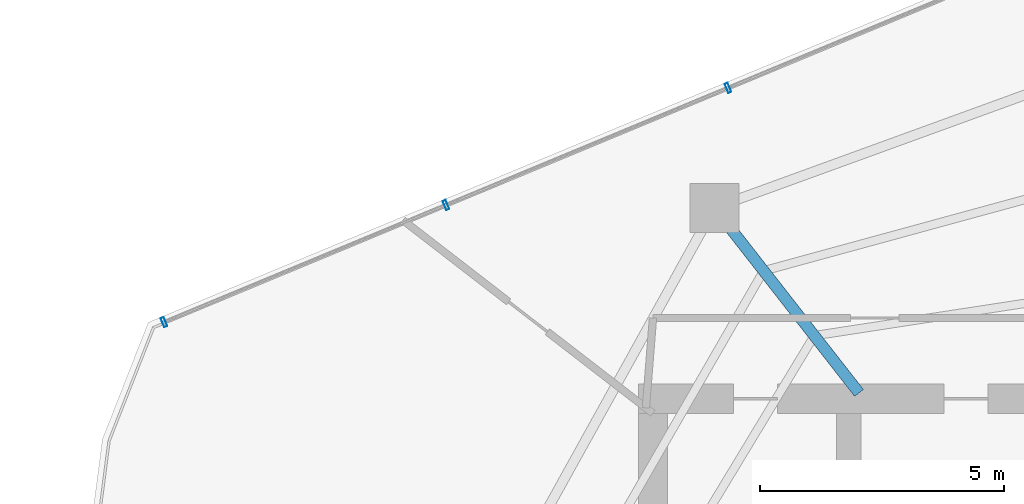
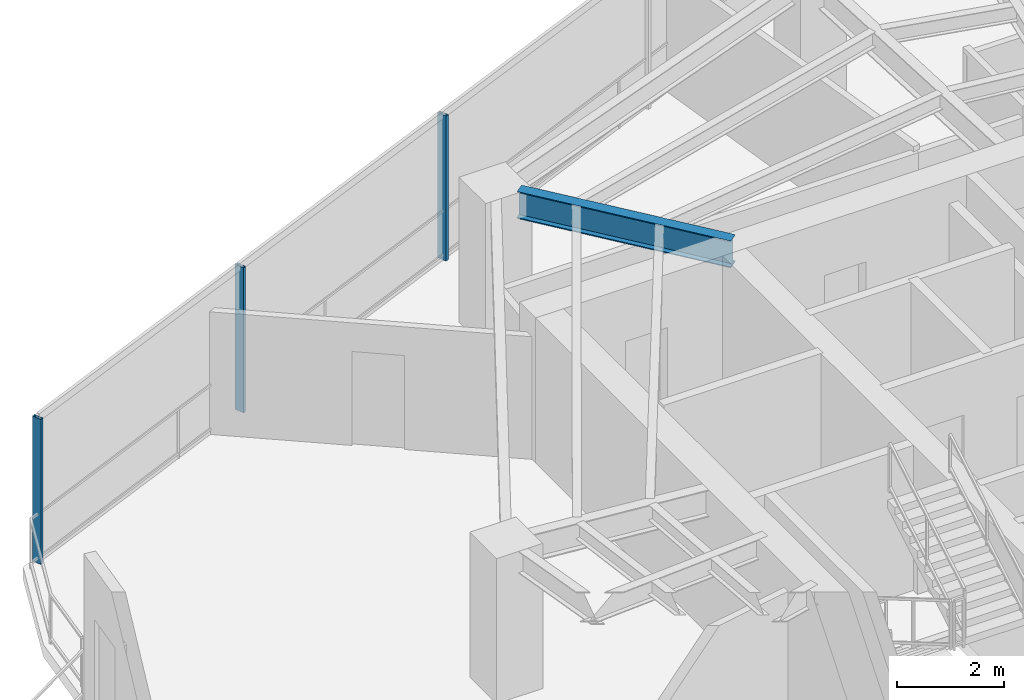
# One storey, part 11 of 20: 3 members, 1 beam, 1 element without a shape of its own.
"""IFC4 building model written with IfcOpenShell, lengths in metres."""

from ifc_helpers import new_model, si_unit, direction, frame, origin, origin_2d, place, context, subcontext, project, spatial, hollow_rectangle, i_section, extrude, material, layer, layer_set, material_profile, profile_set, type_object, element, aggregate, save


model = new_model("IFC4")

# Units and contexts
model_context = context("Model", 3, precision=1e-05, world=origin(), true_north=direction((0.0, 1.0)))
body_context = subcontext(model_context, "Body", "Model", "MODEL_VIEW")
ifc_project = project(units=[si_unit("LENGTHUNIT", "METRE"), si_unit("AREAUNIT", "SQUARE_METRE"), si_unit("VOLUMEUNIT", "CUBIC_METRE"), si_unit("PLANEANGLEUNIT", "RADIAN"), si_unit("MASSUNIT", "GRAM", prefix="KILO")], contexts=[model_context])

# Site, building, storey
site_placement = place(None, origin())
site = spatial("IfcSite", under=ifc_project, at=site_placement, CompositionType="ELEMENT")
building_placement = place(site_placement, origin())
building = spatial("IfcBuilding", under=site, at=building_placement, Name="Qarnah Convention Tower", CompositionType="ELEMENT")
storey_placement = place(building_placement, frame((0.0, 0.0, 150.89990234375)))
storey = spatial("IfcBuildingStorey", under=building, at=storey_placement, Name="L40", CompositionType="ELEMENT", Elevation=150.89990234375)

# Beam
ifc_material_1 = material(Name="Structural steel S355JR", Category="steel")
ifc_material_profile_1 = material_profile(ifc_material_1, i_section(OverallWidth=0.22998046875, OverallDepth=0.617919921875, WebThickness=0.012939453125, FlangeThickness=0.02197265625, at=origin_2d()), Name="W610X140")
ifc_profile_set_1 = profile_set([ifc_material_profile_1], Name="Structural steel S355JR")
beam_type = type_object("IfcBeamType", Name="BM-RAD-W610A", PredefinedType="BEAM", material=ifc_profile_set_1)
beam_placement = place(storey_placement, frame((31.013916015625, 34.318115234375, 3.010986328125), z_axis=(-0.615636368947, 0.788030368215, 0.0), x_axis=(-0.788030368215, -0.615636368947, 0.0)))
element("IfcBeam", 1, at=beam_placement, inside=storey, type_object=beam_type, Name="L40 beam BM-L40-RAD-04", PredefinedType="BEAM", context=body_context, shape_type="SweptSolid", body=[
    extrude(i_section(OverallWidth=0.22998046875, OverallDepth=0.617919921875, WebThickness=0.012939453125, FlangeThickness=0.02197265625, at=origin_2d()), origin(), (0.0, 0.0, 1.0), 4.322265625),
])

# Curtain wall, members
ifc_material_2 = material(Name="Tempered Low-E dark glass", Category="glass")
ifc_layer = layer(ifc_material_2, 0.172119140625)
ifc_layer_set = layer_set([ifc_layer], Name="Tempered Low-E dark glass")
curtain_wall_type = type_object("IfcCurtainWallType", Name="CWS-03", PredefinedType="NOTDEFINED", material=ifc_layer_set)
curtain_wall_placement = place(storey_placement, origin())
curtain_wall = element("IfcCurtainWall", 2, at=curtain_wall_placement, inside=storey, type_object=curtain_wall_type, Name="L40 unitised curtain wall CW-L40-F1", PredefinedType="NOTDEFINED")
ifc_material_3 = material(Name="Black anodised aluminium", Category="aluminium")
ifc_material_profile_2 = material_profile(ifc_material_3, hollow_rectangle(XDim=0.070068359375, YDim=0.199951171875, WallThickness=0.0048828125, at=origin_2d()), Name="MUL-70X200")
ifc_profile_set_2 = profile_set([ifc_material_profile_2], Name="Black anodised aluminium")
member_type = type_object("IfcMemberType", Name="MUL-T3", PredefinedType="MULLION", material=ifc_profile_set_2)
member_1_placement = place(storey_placement, frame((16.800048828125, 35.763916015625, 0.0), z_axis=(0.0, 0.0, 1.0), x_axis=(0.923479084372, 0.383648772613, 0.0)))
member_1 = element("IfcMember", 3, at=member_1_placement, type_object=member_type, Name="CW-L40-F1 mullion 1", PredefinedType="MULLION", context=body_context, shape_type="SweptSolid", body=[
    extrude(hollow_rectangle(XDim=0.070068359375, YDim=0.199951171875, WallThickness=0.0048828125, at=origin_2d()), origin(), (0.0, 0.0, 1.0), 3.320068359375),
])
member_2_placement = place(storey_placement, frame((22.5673828125, 38.159912109375, 0.0), z_axis=(0.0, 0.0, 1.0), x_axis=(0.923479084372, 0.383648772613, 0.0)))
member_2 = element("IfcMember", 4, at=member_2_placement, type_object=member_type, Name="CW-L40-F1 mullion 2", PredefinedType="MULLION", context=body_context, shape_type="SweptSolid", body=[
    extrude(hollow_rectangle(XDim=0.070068359375, YDim=0.199951171875, WallThickness=0.0048828125, at=origin_2d()), origin(), (0.0, 0.0, 1.0), 3.320068359375),
])
member_3_placement = place(storey_placement, frame((28.334716796875, 40.555908203125, 0.0), z_axis=(0.0, 0.0, 1.0), x_axis=(0.923479084372, 0.383648772613, 0.0)))
member_3 = element("IfcMember", 5, at=member_3_placement, type_object=member_type, Name="CW-L40-F1 mullion 3", PredefinedType="MULLION", context=body_context, shape_type="SweptSolid", body=[
    extrude(hollow_rectangle(XDim=0.070068359375, YDim=0.199951171875, WallThickness=0.0048828125, at=origin_2d()), origin(), (0.0, 0.0, 1.0), 3.320068359375),
])
aggregate(curtain_wall, [member_1, member_2, member_3])

save(model, "model.ifc")
